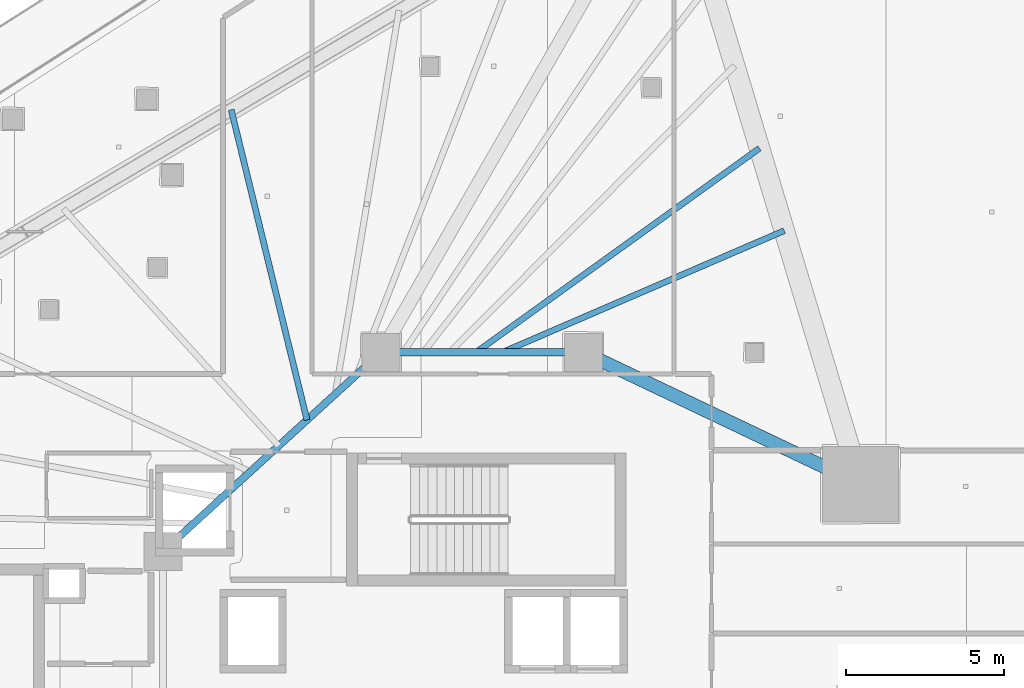
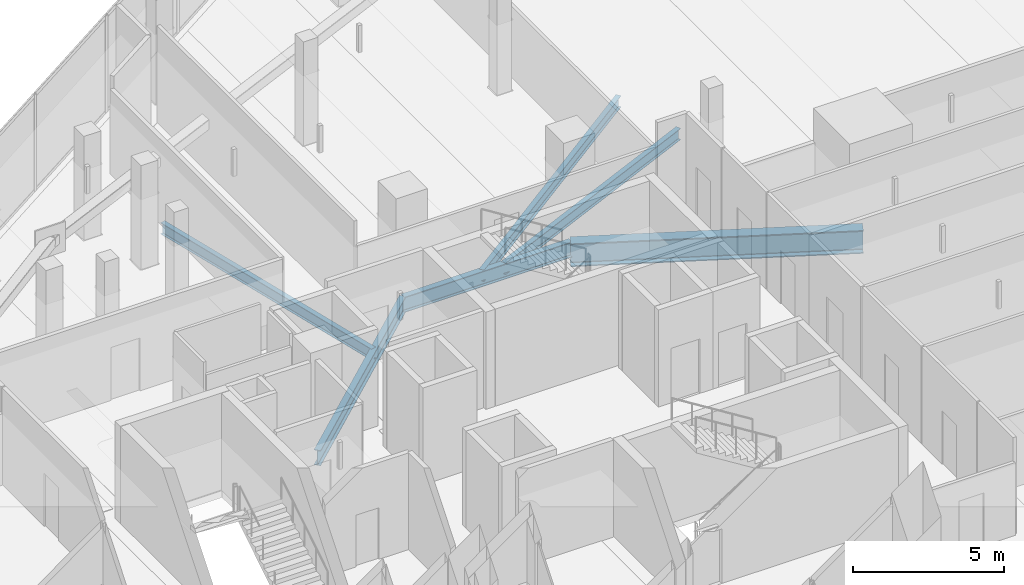
# One storey, part 23 of 52: 6 beams.
"""IFC4 building model written with IfcOpenShell, lengths in metres."""

from ifc_helpers import new_model, si_unit, direction, frame, origin, origin_2d, place, context, subcontext, project, spatial, i_section, extrude, material, material_profile, profile_set, type_object, element, save


model = new_model("IFC4")

# Units and contexts
model_context = context("Model", 3, precision=1e-05, world=origin(), true_north=direction((0.0, 1.0)))
body_context = subcontext(model_context, "Body", "Model", "MODEL_VIEW")
ifc_project = project(units=[si_unit("LENGTHUNIT", "METRE"), si_unit("AREAUNIT", "SQUARE_METRE"), si_unit("VOLUMEUNIT", "CUBIC_METRE"), si_unit("PLANEANGLEUNIT", "RADIAN"), si_unit("MASSUNIT", "GRAM", prefix="KILO")], contexts=[model_context])

# Site, building, storey
site_placement = place(None, origin())
site = spatial("IfcSite", under=ifc_project, at=site_placement, CompositionType="ELEMENT")
building_placement = place(site_placement, origin())
building = spatial("IfcBuilding", under=site, at=building_placement, Name="Qorvath Tower", CompositionType="ELEMENT")
storey_placement = place(building_placement, frame((0.0, 0.0, 61.800048828125)))
storey = spatial("IfcBuildingStorey", under=building, at=storey_placement, Name="L13", CompositionType="ELEMENT", Elevation=61.800048828125)

# Beams
ifc_material_1 = material(Name="Steel ASTM A992 Grade 50", Category="steel")
ifc_material_profile_1 = material_profile(ifc_material_1, i_section(OverallWidth=0.422119140625, OverallDepth=0.93310546875, WebThickness=0.021240234375, FlangeThickness=0.039794921875, FilletRadius=0.02392578125, at=origin_2d()), Name="W36x262")
ifc_profile_set_1 = profile_set([ifc_material_profile_1], Name="Steel ASTM A992 Grade 50")
beam_type_1 = type_object("IfcBeamType", Name="BM-FG1", PredefinedType="BEAM", material=ifc_profile_set_1)
beam_1_placement = place(storey_placement, frame((-17.199951171875, 11.449951171875, -0.74658203125), z_axis=(0.902955751435, -0.429733534821, 0.0), x_axis=(0.429733534821, 0.902955751435, 0.0)))
element("IfcBeam", 1, at=beam_1_placement, inside=storey, type_object=beam_type_1, Name="Radial Floor Girder CC2-MC5 L13", PredefinedType="BEAM", context=body_context, shape_type="SweptSolid", body=[
    extrude(i_section(OverallWidth=0.422119140625, OverallDepth=0.93310546875, WebThickness=0.021240234375, FlangeThickness=0.039794921875, FilletRadius=0.02392578125, at=origin_2d()), origin(), (0.0, 0.0, 1.0), 9.7119140625),
])
ifc_material_2 = material(Name="Steel ASTM A992 Grade 50", Category="steel")
ifc_material_profile_2 = material_profile(ifc_material_2, i_section(OverallWidth=0.22998046875, OverallDepth=0.616943359375, WebThickness=0.01318359375, FlangeThickness=0.022216796875, FilletRadius=0.014892578125, at=origin_2d()), Name="W24x94")
ifc_profile_set_2 = profile_set([ifc_material_profile_2], Name="Steel ASTM A992 Grade 50")
beam_type_2 = type_object("IfcBeamType", Name="BM-FG6", PredefinedType="BEAM", material=ifc_profile_set_2)
beam_2_placement = place(storey_placement, frame((-23.60009765625, 11.449951171875, -0.588623046875), z_axis=(1.0, 0.0, 0.0), x_axis=(0.0, 1.0, 0.0)))
element("IfcBeam", 2, at=beam_2_placement, inside=storey, type_object=beam_type_2, Name="Core Ring Girder CC1-CC2 L13", PredefinedType="BEAM", context=body_context, shape_type="SweptSolid", body=[
    extrude(i_section(OverallWidth=0.22998046875, OverallDepth=0.616943359375, WebThickness=0.01318359375, FlangeThickness=0.022216796875, FilletRadius=0.014892578125, at=origin_2d()), origin(), (0.0, 0.0, 1.0), 6.400146484375),
])
beam_3_placement = place(storey_placement, frame((-30.5, 5.14990234375, -0.588623046875), z_axis=(0.73847813985, 0.6742774184, 0.0), x_axis=(-0.6742774184, 0.73847813985, 0.0)))
element("IfcBeam", 3, at=beam_3_placement, inside=storey, type_object=beam_type_2, Name="Core Ring Girder CC5-CC1 L13", PredefinedType="BEAM", context=body_context, shape_type="SweptSolid", body=[
    extrude(i_section(OverallWidth=0.22998046875, OverallDepth=0.616943359375, WebThickness=0.01318359375, FlangeThickness=0.022216796875, FilletRadius=0.014892578125, at=origin_2d()), origin(), (0.0, 0.0, 1.0), 9.343505859375),
])
ifc_material_3 = material(Name="Steel ASTM A992 Grade 50", Category="steel")
ifc_material_profile_3 = material_profile(ifc_material_3, i_section(OverallWidth=0.18994140625, OverallDepth=0.45703125, WebThickness=0.009033203125, FlangeThickness=0.014404296875, FilletRadius=0.011962890625, at=origin_2d()), Name="W18x50")
ifc_profile_set_3 = profile_set([ifc_material_profile_3], Name="Steel ASTM A992 Grade 50")
beam_type_3 = type_object("IfcBeamType", Name="BM-FJ2", PredefinedType="JOIST", material=ifc_profile_set_3)
beam_4_placement = place(storey_placement, frame((-19.760009765625, 11.449951171875, -0.508544921875), z_axis=(0.918135537923, 0.396266493667, 0.0), x_axis=(-0.396266493667, 0.918135537923, 0.0)))
element("IfcBeam", 4, at=beam_4_placement, inside=storey, type_object=beam_type_3, Name="Composite Floor Joist NE3 L13", PredefinedType="JOIST", context=body_context, shape_type="SweptSolid", body=[
    extrude(i_section(OverallWidth=0.18994140625, OverallDepth=0.45703125, WebThickness=0.009033203125, FlangeThickness=0.014404296875, FilletRadius=0.011962890625, at=origin_2d()), origin(), (0.0, 0.0, 1.0), 9.7109375),
])
beam_5_placement = place(storey_placement, frame((-20.592041015625, 11.449951171875, -0.508544921875), z_axis=(0.811469358397, 0.584394969505, 0.0), x_axis=(-0.584394969505, 0.811469358397, 0.0)))
element("IfcBeam", 5, at=beam_5_placement, inside=storey, type_object=beam_type_3, Name="Composite Floor Joist NE4 L13", PredefinedType="JOIST", context=body_context, shape_type="SweptSolid", body=[
    extrude(i_section(OverallWidth=0.18994140625, OverallDepth=0.45703125, WebThickness=0.009033203125, FlangeThickness=0.014404296875, FilletRadius=0.011962890625, at=origin_2d()), origin(), (0.0, 0.0, 1.0), 11.046142578125),
])
beam_6_placement = place(storey_placement, frame((-25.946044921875, 9.30810546875, -0.508544921875), z_axis=(-0.237165308581, 0.97146930801, 0.0), x_axis=(-0.97146930801, -0.237165308581, 0.0)))
element("IfcBeam", 6, at=beam_6_placement, inside=storey, type_object=beam_type_3, Name="Composite Floor Joist NW5 L13", PredefinedType="JOIST", context=body_context, shape_type="SweptSolid", body=[
    extrude(i_section(OverallWidth=0.18994140625, OverallDepth=0.45703125, WebThickness=0.009033203125, FlangeThickness=0.014404296875, FilletRadius=0.011962890625, at=origin_2d()), origin(), (0.0, 0.0, 1.0), 10.104736328125),
])

save(model, "model.ifc")
